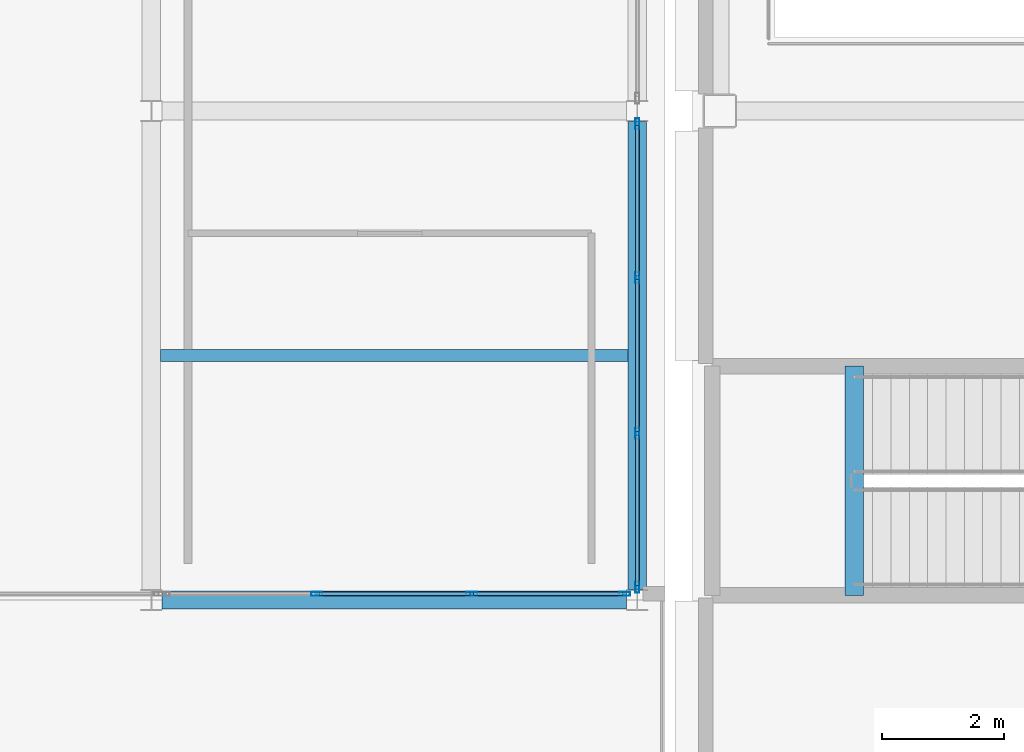
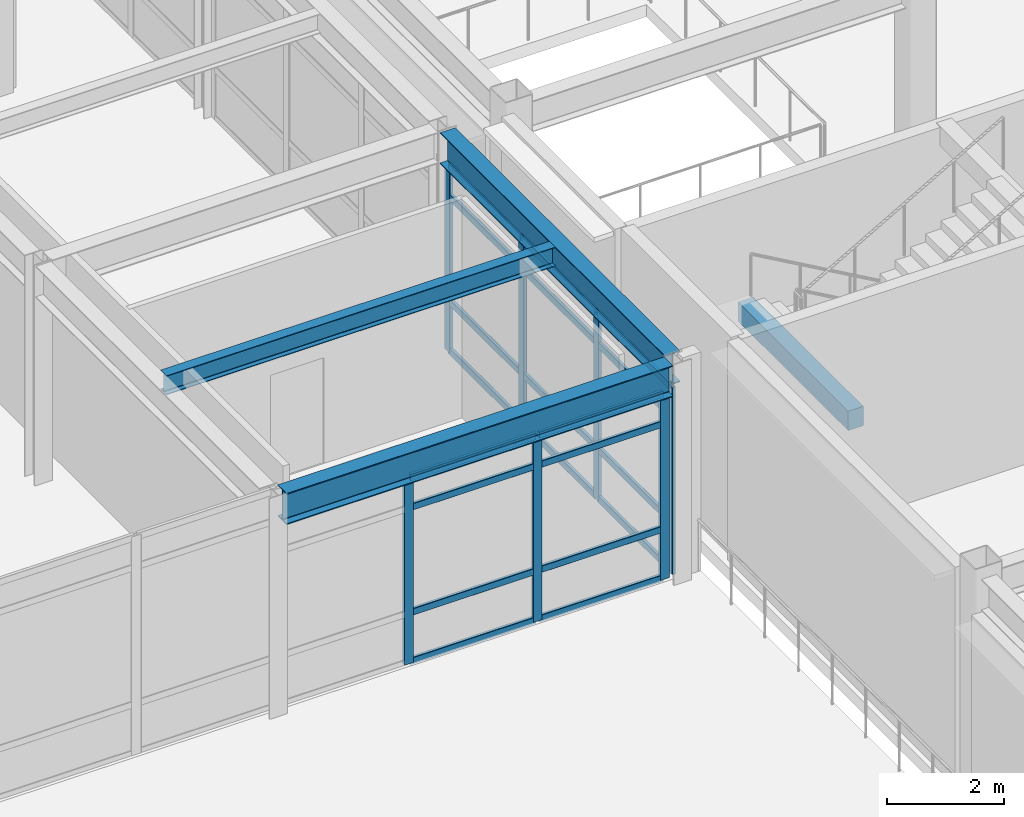
# One storey, part 18 of 154: 27 members, 4 beams, 2 elements without a shape of their own.
"""IFC4 building model written with IfcOpenShell, lengths in metres."""

import ifcopenshell
import ifcopenshell.guid

model = None  # the IFC model being written
_history = None  # IfcOwnerHistory: only IFC2X3 demands one
_inside = {}  # id of a spatial element -> (the spatial element, [elements in it])
_under = {}  # id of a project, library or spatial element -> (it, [spatial elements below it])
_declared = {}  # id of a project -> (the project, [libraries it declares])
_typed = {}  # id of a type object -> (the type object, [elements of that type])
_made_of = {}  # id of a material, layer set ... -> (it, [elements and type objects made of it])


def new_model(schema):
    """Start an empty IFC model of exactly this schema.

    Asked for "IFC4X3", IfcOpenShell would pick the latest addendum, in which some entities
    have other attributes; the version numbers below select the first issue.
    IFC2X3 requires an IfcOwnerHistory on every rooted entity: one is made here for all.
    """
    global model, _history
    if schema == "IFC4X3":
        model = ifcopenshell.file(schema_version=(4, 3, 0, 0))
    else:
        model = ifcopenshell.file(schema=schema)
    _inside.clear()
    _under.clear()
    _declared.clear()
    _typed.clear()
    _made_of.clear()
    _history = None
    if model.schema == "IFC2X3":
        org = make("IfcOrganization", Name="unknown")
        user = make(
            "IfcPersonAndOrganization",
            ThePerson=make("IfcPerson", FamilyName="unknown"),
            TheOrganization=org,
        )
        app = make(
            "IfcApplication",
            ApplicationDeveloper=org,
            Version="unknown",
            ApplicationFullName="unknown",
            ApplicationIdentifier="unknown",
        )
        _history = make(
            "IfcOwnerHistory",
            OwningUser=user,
            OwningApplication=app,
            ChangeAction="ADDED",
            CreationDate=0,
        )
    return model


def make(cls, **values):
    """One entity of the class cls with the attributes given. An attribute that is None is left unset."""
    return model.create_entity(
        cls, **{name: value for name, value in values.items() if value is not None}
    )


def rooted(cls, **values):
    """An entity with a GlobalId (a new one), such as an element, a storey or a relation."""
    return make(cls, GlobalId=ifcopenshell.guid.new(), OwnerHistory=_history, **values)


def si_unit(unit_type, name, prefix=None):
    """IfcSIUnit, for example si_unit("LENGTHUNIT", "METRE", prefix="MILLI")."""
    return make("IfcSIUnit", UnitType=unit_type, Prefix=prefix, Name=name)


def assignment(units):
    """IfcUnitAssignment: the units of a project."""
    return None if units is None else make("IfcUnitAssignment", Units=units)


def point(xyz):
    """IfcCartesianPoint."""
    return None if xyz is None else make("IfcCartesianPoint", Coordinates=xyz)


def direction(xyz):
    """IfcDirection."""
    return None if xyz is None else make("IfcDirection", DirectionRatios=xyz)


def frame(location, z_axis=None, x_axis=None):
    """IfcAxis2Placement3D, a coordinate frame: its origin and axes. An axis left out is left unset."""
    return make(
        "IfcAxis2Placement3D",
        Location=point(location),
        Axis=direction(z_axis),
        RefDirection=direction(x_axis),
    )


def frame_2d(location, x_axis=None):
    """IfcAxis2Placement2D, a coordinate frame in the plane: its origin and x axis."""
    return make(
        "IfcAxis2Placement2D", Location=point(location), RefDirection=direction(x_axis)
    )


def origin():
    """The frame at (0, 0, 0) with its axes left unset."""
    return frame((0.0, 0.0, 0.0))


def origin_2d():
    """The frame at (0, 0) in the plane with its x axis left unset."""
    return frame_2d((0.0, 0.0))


def place(relative_to, where):
    """IfcLocalPlacement: puts the frame where relative to a parent placement (None: the world)."""
    return make(
        "IfcLocalPlacement", PlacementRelTo=relative_to, RelativePlacement=where
    )


def context(
    kind, dimensions, precision=None, world=None, true_north=None, identifier=None
):
    """IfcGeometricRepresentationContext, for example the 3D "Model" context."""
    return make(
        "IfcGeometricRepresentationContext",
        ContextIdentifier=identifier,
        ContextType=kind,
        CoordinateSpaceDimension=dimensions,
        Precision=precision,
        WorldCoordinateSystem=world,
        TrueNorth=true_north,
    )


def subcontext(parent, identifier, kind, view, scale=None):
    """IfcGeometricRepresentationSubContext, for example "Body" below "Model"."""
    return make(
        "IfcGeometricRepresentationSubContext",
        ContextIdentifier=identifier,
        ContextType=kind,
        ParentContext=parent,
        TargetScale=scale,
        TargetView=view,
    )


def project(units=None, contexts=None):
    """IfcProject with its units and contexts."""
    return rooted(
        "IfcProject",
        Name="project",
        RepresentationContexts=contexts,
        UnitsInContext=assignment(units),
    )


def spatial(cls, under=None, at=None, **own):
    """A site, building, storey or space (cls), placed at a placement, below another one or the project."""
    s = rooted(cls, ObjectPlacement=at, **own)
    if under is not None:
        _under.setdefault(under.id(), (under, []))[1].append(s)
    return s


def profile(cls, at=None, kind="AREA", **sizes):
    """A parametric profile (cls). Its sizes go by their IFC names, for example OverallWidth=200.0."""
    return make(cls, ProfileType=kind, Position=at, **sizes)


def rectangle(**sizes):
    """IfcRectangleProfileDef."""
    return profile("IfcRectangleProfileDef", **sizes)


def hollow_rectangle(**sizes):
    """IfcRectangleHollowProfileDef."""
    return profile("IfcRectangleHollowProfileDef", **sizes)


def i_section(**sizes):
    """IfcIShapeProfileDef."""
    return profile("IfcIShapeProfileDef", **sizes)


def extrude(swept, where, along, depth):
    """IfcExtrudedAreaSolid: the profile swept, set in the frame where, extruded along a direction by depth."""
    return make(
        "IfcExtrudedAreaSolid",
        SweptArea=swept,
        Position=where,
        ExtrudedDirection=direction(along),
        Depth=depth,
    )


def shape(context_of_items, identifier, shape_type, items):
    """IfcShapeRepresentation: the items that make up one representation, for example the "Body"."""
    return make(
        "IfcShapeRepresentation",
        ContextOfItems=context_of_items,
        RepresentationIdentifier=identifier,
        RepresentationType=shape_type,
        Items=items,
    )


def material(Name=None, Category=None):
    """IfcMaterial."""
    return make("IfcMaterial", Name=Name, Category=Category)


def layer(
    of_material, thickness, ventilated=None, Name=None, Category=None, Priority=None
):
    """IfcMaterialLayer: one layer of a wall or slab, of a material (None: an air gap)."""
    return make(
        "IfcMaterialLayer",
        Material=of_material,
        LayerThickness=thickness,
        IsVentilated=ventilated,
        Name=Name,
        Category=Category,
        Priority=Priority,
    )


def layer_set(layers, Name=None):
    """IfcMaterialLayerSet."""
    return make("IfcMaterialLayerSet", MaterialLayers=layers, LayerSetName=Name)


def material_profile(
    of_material, cross_section, Name=None, Category=None, Priority=None
):
    """IfcMaterialProfile: a cross section and its material."""
    return make(
        "IfcMaterialProfile",
        Name=Name,
        Material=of_material,
        Profile=cross_section,
        Priority=Priority,
        Category=Category,
    )


def profile_set(profiles, Name=None, composite=None):
    """IfcMaterialProfileSet."""
    return make(
        "IfcMaterialProfileSet",
        Name=Name,
        MaterialProfiles=profiles,
        CompositeProfile=composite,
    )


def made_of(thing, what):
    """Note that an element or type object is made of a material, layer set ...; save() writes the relation."""
    if what is not None:
        _made_of.setdefault(what.id(), (what, []))[1].append(thing)
    return thing


def type_object(cls, material=None, **own):
    """A type object (cls), such as IfcWallType, which elements share."""
    return made_of(rooted(cls, **own), material)


def element(
    cls,
    number,
    at=None,
    inside=None,
    cuts=None,
    type_object=None,
    material=None,
    context=None,
    identifier="Body",
    shape_type=None,
    held_by="IfcProductDefinitionShape",
    body=None,
    shapes=None,
    **own,
):
    """One element of the class cls, such as IfcWall. Its Tag is "e" and its number.

    at: its placement. inside: the storey or other place that contains it. cuts: it is an
    opening in that element (IfcRelVoidsElement). A single representation is given by context,
    identifier, shape_type and body (its items); several are given by shapes. held_by: the class
    of the entity that holds the representations. save() writes the other relations.
    """
    e = rooted(cls, Tag="e%d" % number, ObjectPlacement=at, **own)
    if body is not None:
        shapes = [shape(context, identifier, shape_type, body)]
    if shapes is not None:
        e.Representation = make(held_by, Representations=shapes)
    if inside is not None:
        _inside.setdefault(inside.id(), (inside, []))[1].append(e)
    if cuts is not None:
        rooted(
            "IfcRelVoidsElement", RelatingBuildingElement=cuts, RelatedOpeningElement=e
        )
    if type_object is not None:
        _typed.setdefault(type_object.id(), (type_object, []))[1].append(e)
    return made_of(e, material)


def aggregate(whole, parts):
    """IfcRelAggregates: a whole, such as a stair, and the parts it consists of."""
    return rooted("IfcRelAggregates", RelatingObject=whole, RelatedObjects=parts)


def save(model, path):
    """Write the relations noted so far, then the file.

    IfcRelAggregates (storeys below a building ...), IfcRelContainedInSpatialStructure (elements
    in a storey), IfcRelDefinesByType, IfcRelAssociatesMaterial and IfcRelDeclares: one each for
    every whole, place, type object, material and project.
    """
    for whole, parts in _under.values():
        aggregate(whole, parts)
    for where, things in _inside.values():
        rooted(
            "IfcRelContainedInSpatialStructure",
            RelatedElements=things,
            RelatingStructure=where,
        )
    for kind, things in _typed.values():
        rooted("IfcRelDefinesByType", RelatedObjects=things, RelatingType=kind)
    for what, things in _made_of.values():
        rooted("IfcRelAssociatesMaterial", RelatedObjects=things, RelatingMaterial=what)
    for by, libraries in _declared.values():
        rooted("IfcRelDeclares", RelatingContext=by, RelatedDefinitions=libraries)
    model.write(path)


model = new_model("IFC4")

# Units and contexts
model_context = context("Model", 3, precision=1e-05, world=origin(), true_north=direction((0.0, 1.0)))
body_context = subcontext(model_context, "Body", "Model", "MODEL_VIEW")
ifc_project = project(units=[si_unit("LENGTHUNIT", "METRE"), si_unit("AREAUNIT", "SQUARE_METRE"), si_unit("VOLUMEUNIT", "CUBIC_METRE"), si_unit("PLANEANGLEUNIT", "RADIAN"), si_unit("MASSUNIT", "GRAM", prefix="KILO")], contexts=[model_context])

# Site, building, storey
site_placement = place(None, origin())
site = spatial("IfcSite", under=ifc_project, at=site_placement, CompositionType="ELEMENT")
building_placement = place(site_placement, origin())
building = spatial("IfcBuilding", under=site, at=building_placement, Name="Kazehara Bluff Congress Hotel", CompositionType="ELEMENT")
storey_placement = place(building_placement, frame((0.0, 0.0, 10.199951171875)))
storey = spatial("IfcBuildingStorey", under=building, at=storey_placement, Name="L02", CompositionType="ELEMENT", Elevation=10.199951171875)

# Curtain wall, members
ifc_material_1 = material(Name="Anodised aluminium", Category="aluminium")
ifc_layer_1 = layer(ifc_material_1, 0.159912109375)
ifc_layer_set_1 = layer_set([ifc_layer_1], Name="Anodised aluminium")
curtain_wall_type_1 = type_object("IfcCurtainWallType", Name="TP-CW-22", PredefinedType="NOTDEFINED", material=ifc_layer_set_1)
curtain_wall_1_placement = place(storey_placement, origin())
curtain_wall_1 = element("IfcCurtainWall", 1, at=curtain_wall_1_placement, inside=storey, type_object=curtain_wall_type_1, Name="L02 curtain wall CW-22 CW-V2-L02-X5835-1618", PredefinedType="NOTDEFINED")
ifc_material_2 = material(Name="Anodised aluminium", Category="aluminium")
ifc_material_profile_1 = material_profile(ifc_material_2, hollow_rectangle(XDim=0.06494140625, YDim=0.179931640625, WallThickness=0.00390625, InnerFilletRadius=0.00390625, OuterFilletRadius=0.008056640625, at=origin_2d()))
ifc_profile_set_1 = profile_set([ifc_material_profile_1], Name="Anodised aluminium")
member_type_1 = type_object("IfcMemberType", Name="TP-CWM-02", PredefinedType="MULLION", material=ifc_profile_set_1)
member_1_placement = place(storey_placement, frame((58.35009765625, 16.20751953125, 0.0), z_axis=(0.0, 0.0, 1.0), x_axis=(-1.0, 0.0, 0.0)))
member_1 = element("IfcMember", 2, at=member_1_placement, type_object=member_type_1, Name="CW-22 mullion 1", PredefinedType="MULLION", context=body_context, shape_type="SweptSolid", body=[
    extrude(hollow_rectangle(XDim=0.06494140625, YDim=0.179931640625, WallThickness=0.00390625, InnerFilletRadius=0.00390625, OuterFilletRadius=0.008056640625, at=origin_2d()), origin(), (0.0, 0.0, 1.0), 3.885009765625),
])
member_2_placement = place(storey_placement, frame((58.35009765625, 18.72509765625, 0.0), z_axis=(0.0, 0.0, 1.0), x_axis=(-1.0, 0.0, 0.0)))
member_2 = element("IfcMember", 3, at=member_2_placement, type_object=member_type_1, Name="CW-22 mullion 2", PredefinedType="MULLION", context=body_context, shape_type="SweptSolid", body=[
    extrude(hollow_rectangle(XDim=0.06494140625, YDim=0.179931640625, WallThickness=0.00390625, InnerFilletRadius=0.00390625, OuterFilletRadius=0.008056640625, at=origin_2d()), origin(), (0.0, 0.0, 1.0), 3.885009765625),
])
member_3_placement = place(storey_placement, frame((58.35009765625, 21.27490234375, 0.0), z_axis=(0.0, 0.0, 1.0), x_axis=(-1.0, 0.0, 0.0)))
member_3 = element("IfcMember", 4, at=member_3_placement, type_object=member_type_1, Name="CW-22 mullion 3", PredefinedType="MULLION", context=body_context, shape_type="SweptSolid", body=[
    extrude(hollow_rectangle(XDim=0.06494140625, YDim=0.179931640625, WallThickness=0.00390625, InnerFilletRadius=0.00390625, OuterFilletRadius=0.008056640625, at=origin_2d()), origin(), (0.0, 0.0, 1.0), 3.885009765625),
])
member_4_placement = place(storey_placement, frame((58.35009765625, 23.79248046875, 0.0), z_axis=(0.0, 0.0, 1.0), x_axis=(-1.0, 0.0, 0.0)))
member_4 = element("IfcMember", 5, at=member_4_placement, type_object=member_type_1, Name="CW-22 mullion 4", PredefinedType="MULLION", context=body_context, shape_type="SweptSolid", body=[
    extrude(hollow_rectangle(XDim=0.06494140625, YDim=0.179931640625, WallThickness=0.00390625, InnerFilletRadius=0.00390625, OuterFilletRadius=0.008056640625, at=origin_2d()), origin(), (0.0, 0.0, 1.0), 3.885009765625),
])

ifc_material_3 = material(Name="Anodised aluminium", Category="aluminium")
ifc_layer_2 = layer(ifc_material_3, 0.159912109375)
ifc_layer_set_2 = layer_set([ifc_layer_2], Name="Anodised aluminium")
curtain_wall_type_2 = type_object("IfcCurtainWallType", Name="TP-CW-129", PredefinedType="NOTDEFINED", material=ifc_layer_set_2)
curtain_wall_2_placement = place(storey_placement, origin())
curtain_wall_2 = element("IfcCurtainWall", 6, at=curtain_wall_2_placement, inside=storey, type_object=curtain_wall_type_2, Name="L02 curtain wall CW-129 CW-ENC-V2-L02-5438-1610", PredefinedType="NOTDEFINED")
member_5_placement = place(storey_placement, frame((58.142578125, 16.10009765625, 0.0), z_axis=(0.0, 0.0, 1.0), x_axis=(0.0, -1.0, 0.0)))
member_5 = element("IfcMember", 7, at=member_5_placement, type_object=member_type_1, Name="CW-129 mullion 1", PredefinedType="MULLION", context=body_context, shape_type="SweptSolid", body=[
    extrude(hollow_rectangle(XDim=0.06494140625, YDim=0.179931640625, WallThickness=0.00390625, InnerFilletRadius=0.00390625, OuterFilletRadius=0.008056640625, at=origin_2d()), origin(), (0.0, 0.0, 1.0), 3.885009765625),
])
member_6_placement = place(storey_placement, frame((55.6416015625, 16.10009765625, 0.0), z_axis=(0.0, 0.0, 1.0), x_axis=(0.0, -1.0, 0.0)))
member_6 = element("IfcMember", 8, at=member_6_placement, type_object=member_type_1, Name="CW-129 mullion 2", PredefinedType="MULLION", context=body_context, shape_type="SweptSolid", body=[
    extrude(hollow_rectangle(XDim=0.06494140625, YDim=0.179931640625, WallThickness=0.00390625, InnerFilletRadius=0.00390625, OuterFilletRadius=0.008056640625, at=origin_2d()), origin(), (0.0, 0.0, 1.0), 3.885009765625),
])
member_7_placement = place(storey_placement, frame((53.1083984375, 16.10009765625, 0.0), z_axis=(0.0, 0.0, 1.0), x_axis=(0.0, -1.0, 0.0)))
member_7 = element("IfcMember", 9, at=member_7_placement, type_object=member_type_1, Name="CW-129 mullion 3", PredefinedType="MULLION", context=body_context, shape_type="SweptSolid", body=[
    extrude(hollow_rectangle(XDim=0.06494140625, YDim=0.179931640625, WallThickness=0.00390625, InnerFilletRadius=0.00390625, OuterFilletRadius=0.008056640625, at=origin_2d()), origin(), (0.0, 0.0, 1.0), 3.885009765625),
])

# Member
ifc_material_4 = material(Name="Anodised aluminium", Category="aluminium")
ifc_material_profile_2 = material_profile(ifc_material_4, hollow_rectangle(XDim=0.06494140625, YDim=0.139892578125, WallThickness=0.00390625, InnerFilletRadius=0.00390625, OuterFilletRadius=0.008056640625, at=origin_2d()))
ifc_profile_set_2 = profile_set([ifc_material_profile_2], Name="Anodised aluminium")
member_type_2 = type_object("IfcMemberType", Name="TP-CWT-02", PredefinedType="USERDEFINED", material=ifc_profile_set_2)
member_8_placement = place(storey_placement, frame((58.35009765625, 16.239990234375, 0.032470703125), z_axis=(0.0, 1.0, 0.0), x_axis=(-1.0, 0.0, 0.0)))
member_8 = element("IfcMember", 10, at=member_8_placement, type_object=member_type_2, Name="CW-22 transom 1.1", ObjectType="TRANSOM", PredefinedType="USERDEFINED", context=body_context, shape_type="SweptSolid", body=[
    extrude(hollow_rectangle(XDim=0.06494140625, YDim=0.139892578125, WallThickness=0.00390625, InnerFilletRadius=0.00390625, OuterFilletRadius=0.008056640625, at=origin_2d()), origin(), (0.0, 0.0, 1.0), 2.452392578125),
])

member_9_placement = place(storey_placement, frame((58.35009765625, 16.239990234375, 1.050048828125), z_axis=(0.0, 1.0, 0.0), x_axis=(-1.0, 0.0, 0.0)))
member_9 = element("IfcMember", 11, at=member_9_placement, type_object=member_type_2, Name="CW-22 transom 1.2", ObjectType="TRANSOM", PredefinedType="USERDEFINED", context=body_context, shape_type="SweptSolid", body=[
    extrude(hollow_rectangle(XDim=0.06494140625, YDim=0.139892578125, WallThickness=0.00390625, InnerFilletRadius=0.00390625, OuterFilletRadius=0.008056640625, at=origin_2d()), origin(), (0.0, 0.0, 1.0), 2.452392578125),
])

member_10_placement = place(storey_placement, frame((58.35009765625, 16.239990234375, 3.235107421875), z_axis=(0.0, 1.0, 0.0), x_axis=(-1.0, 0.0, 0.0)))
member_10 = element("IfcMember", 12, at=member_10_placement, type_object=member_type_2, Name="CW-22 transom 1.3", ObjectType="TRANSOM", PredefinedType="USERDEFINED", context=body_context, shape_type="SweptSolid", body=[
    extrude(hollow_rectangle(XDim=0.06494140625, YDim=0.139892578125, WallThickness=0.00390625, InnerFilletRadius=0.00390625, OuterFilletRadius=0.008056640625, at=origin_2d()), origin(), (0.0, 0.0, 1.0), 2.452392578125),
])

member_11_placement = place(storey_placement, frame((58.35009765625, 16.239990234375, 3.8525390625), z_axis=(0.0, 1.0, 0.0), x_axis=(-1.0, 0.0, 0.0)))
member_11 = element("IfcMember", 13, at=member_11_placement, type_object=member_type_2, Name="CW-22 transom 1.4", ObjectType="TRANSOM", PredefinedType="USERDEFINED", context=body_context, shape_type="SweptSolid", body=[
    extrude(hollow_rectangle(XDim=0.06494140625, YDim=0.139892578125, WallThickness=0.00390625, InnerFilletRadius=0.00390625, OuterFilletRadius=0.008056640625, at=origin_2d()), origin(), (0.0, 0.0, 1.0), 2.452392578125),
])

member_12_placement = place(storey_placement, frame((58.35009765625, 18.757568359375, 0.032470703125), z_axis=(0.0, 1.0, 0.0), x_axis=(-1.0, 0.0, 0.0)))
member_12 = element("IfcMember", 14, at=member_12_placement, type_object=member_type_2, Name="CW-22 transom 2.1", ObjectType="TRANSOM", PredefinedType="USERDEFINED", context=body_context, shape_type="SweptSolid", body=[
    extrude(hollow_rectangle(XDim=0.06494140625, YDim=0.139892578125, WallThickness=0.00390625, InnerFilletRadius=0.00390625, OuterFilletRadius=0.008056640625, at=origin_2d()), origin(), (0.0, 0.0, 1.0), 2.48486328125),
])

member_13_placement = place(storey_placement, frame((58.35009765625, 18.757568359375, 1.050048828125), z_axis=(0.0, 1.0, 0.0), x_axis=(-1.0, 0.0, 0.0)))
member_13 = element("IfcMember", 15, at=member_13_placement, type_object=member_type_2, Name="CW-22 transom 2.2", ObjectType="TRANSOM", PredefinedType="USERDEFINED", context=body_context, shape_type="SweptSolid", body=[
    extrude(hollow_rectangle(XDim=0.06494140625, YDim=0.139892578125, WallThickness=0.00390625, InnerFilletRadius=0.00390625, OuterFilletRadius=0.008056640625, at=origin_2d()), origin(), (0.0, 0.0, 1.0), 2.48486328125),
])

member_14_placement = place(storey_placement, frame((58.35009765625, 18.757568359375, 3.235107421875), z_axis=(0.0, 1.0, 0.0), x_axis=(-1.0, 0.0, 0.0)))
member_14 = element("IfcMember", 16, at=member_14_placement, type_object=member_type_2, Name="CW-22 transom 2.3", ObjectType="TRANSOM", PredefinedType="USERDEFINED", context=body_context, shape_type="SweptSolid", body=[
    extrude(hollow_rectangle(XDim=0.06494140625, YDim=0.139892578125, WallThickness=0.00390625, InnerFilletRadius=0.00390625, OuterFilletRadius=0.008056640625, at=origin_2d()), origin(), (0.0, 0.0, 1.0), 2.48486328125),
])

member_15_placement = place(storey_placement, frame((58.35009765625, 18.757568359375, 3.8525390625), z_axis=(0.0, 1.0, 0.0), x_axis=(-1.0, 0.0, 0.0)))
member_15 = element("IfcMember", 17, at=member_15_placement, type_object=member_type_2, Name="CW-22 transom 2.4", ObjectType="TRANSOM", PredefinedType="USERDEFINED", context=body_context, shape_type="SweptSolid", body=[
    extrude(hollow_rectangle(XDim=0.06494140625, YDim=0.139892578125, WallThickness=0.00390625, InnerFilletRadius=0.00390625, OuterFilletRadius=0.008056640625, at=origin_2d()), origin(), (0.0, 0.0, 1.0), 2.48486328125),
])

member_16_placement = place(storey_placement, frame((58.35009765625, 21.3076171875, 0.032470703125), z_axis=(0.0, 1.0, 0.0), x_axis=(-1.0, 0.0, 0.0)))
member_16 = element("IfcMember", 18, at=member_16_placement, type_object=member_type_2, Name="CW-22 transom 3.1", ObjectType="TRANSOM", PredefinedType="USERDEFINED", context=body_context, shape_type="SweptSolid", body=[
    extrude(hollow_rectangle(XDim=0.06494140625, YDim=0.139892578125, WallThickness=0.00390625, InnerFilletRadius=0.00390625, OuterFilletRadius=0.008056640625, at=origin_2d()), origin(), (0.0, 0.0, 1.0), 2.452392578125),
])

member_17_placement = place(storey_placement, frame((58.35009765625, 21.3076171875, 1.050048828125), z_axis=(0.0, 1.0, 0.0), x_axis=(-1.0, 0.0, 0.0)))
member_17 = element("IfcMember", 19, at=member_17_placement, type_object=member_type_2, Name="CW-22 transom 3.2", ObjectType="TRANSOM", PredefinedType="USERDEFINED", context=body_context, shape_type="SweptSolid", body=[
    extrude(hollow_rectangle(XDim=0.06494140625, YDim=0.139892578125, WallThickness=0.00390625, InnerFilletRadius=0.00390625, OuterFilletRadius=0.008056640625, at=origin_2d()), origin(), (0.0, 0.0, 1.0), 2.452392578125),
])

member_18_placement = place(storey_placement, frame((58.35009765625, 21.3076171875, 3.235107421875), z_axis=(0.0, 1.0, 0.0), x_axis=(-1.0, 0.0, 0.0)))
member_18 = element("IfcMember", 20, at=member_18_placement, type_object=member_type_2, Name="CW-22 transom 3.3", ObjectType="TRANSOM", PredefinedType="USERDEFINED", context=body_context, shape_type="SweptSolid", body=[
    extrude(hollow_rectangle(XDim=0.06494140625, YDim=0.139892578125, WallThickness=0.00390625, InnerFilletRadius=0.00390625, OuterFilletRadius=0.008056640625, at=origin_2d()), origin(), (0.0, 0.0, 1.0), 2.452392578125),
])

member_19_placement = place(storey_placement, frame((58.35009765625, 21.3076171875, 3.8525390625), z_axis=(0.0, 1.0, 0.0), x_axis=(-1.0, 0.0, 0.0)))
member_19 = element("IfcMember", 21, at=member_19_placement, type_object=member_type_2, Name="CW-22 transom 3.4", ObjectType="TRANSOM", PredefinedType="USERDEFINED", context=body_context, shape_type="SweptSolid", body=[
    extrude(hollow_rectangle(XDim=0.06494140625, YDim=0.139892578125, WallThickness=0.00390625, InnerFilletRadius=0.00390625, OuterFilletRadius=0.008056640625, at=origin_2d()), origin(), (0.0, 0.0, 1.0), 2.452392578125),
])

aggregate(curtain_wall_1, [member_1, member_2, member_3, member_4, member_8, member_9, member_10, member_11, member_12, member_13, member_14, member_15, member_16, member_17, member_18, member_19])

member_20_placement = place(storey_placement, frame((58.110107421875, 16.10009765625, 0.032470703125), z_axis=(-1.0, 0.0, 0.0), x_axis=(0.0, -1.0, 0.0)))
member_20 = element("IfcMember", 22, at=member_20_placement, type_object=member_type_2, Name="CW-129 transom 1.1", ObjectType="TRANSOM", PredefinedType="USERDEFINED", context=body_context, shape_type="SweptSolid", body=[
    extrude(hollow_rectangle(XDim=0.06494140625, YDim=0.139892578125, WallThickness=0.00390625, InnerFilletRadius=0.00390625, OuterFilletRadius=0.008056640625, at=origin_2d()), origin(), (0.0, 0.0, 1.0), 2.43603515625),
])

member_21_placement = place(storey_placement, frame((58.110107421875, 16.10009765625, 1.050048828125), z_axis=(-1.0, 0.0, 0.0), x_axis=(0.0, -1.0, 0.0)))
member_21 = element("IfcMember", 23, at=member_21_placement, type_object=member_type_2, Name="CW-129 transom 1.2", ObjectType="TRANSOM", PredefinedType="USERDEFINED", context=body_context, shape_type="SweptSolid", body=[
    extrude(hollow_rectangle(XDim=0.06494140625, YDim=0.139892578125, WallThickness=0.00390625, InnerFilletRadius=0.00390625, OuterFilletRadius=0.008056640625, at=origin_2d()), origin(), (0.0, 0.0, 1.0), 2.43603515625),
])

member_22_placement = place(storey_placement, frame((58.110107421875, 16.10009765625, 3.235107421875), z_axis=(-1.0, 0.0, 0.0), x_axis=(0.0, -1.0, 0.0)))
member_22 = element("IfcMember", 24, at=member_22_placement, type_object=member_type_2, Name="CW-129 transom 1.3", ObjectType="TRANSOM", PredefinedType="USERDEFINED", context=body_context, shape_type="SweptSolid", body=[
    extrude(hollow_rectangle(XDim=0.06494140625, YDim=0.139892578125, WallThickness=0.00390625, InnerFilletRadius=0.00390625, OuterFilletRadius=0.008056640625, at=origin_2d()), origin(), (0.0, 0.0, 1.0), 2.43603515625),
])

member_23_placement = place(storey_placement, frame((58.110107421875, 16.10009765625, 3.8525390625), z_axis=(-1.0, 0.0, 0.0), x_axis=(0.0, -1.0, 0.0)))
member_23 = element("IfcMember", 25, at=member_23_placement, type_object=member_type_2, Name="CW-129 transom 1.4", ObjectType="TRANSOM", PredefinedType="USERDEFINED", context=body_context, shape_type="SweptSolid", body=[
    extrude(hollow_rectangle(XDim=0.06494140625, YDim=0.139892578125, WallThickness=0.00390625, InnerFilletRadius=0.00390625, OuterFilletRadius=0.008056640625, at=origin_2d()), origin(), (0.0, 0.0, 1.0), 2.43603515625),
])

member_24_placement = place(storey_placement, frame((55.609130859375, 16.10009765625, 0.032470703125), z_axis=(-1.0, 0.0, 0.0), x_axis=(0.0, -1.0, 0.0)))
member_24 = element("IfcMember", 26, at=member_24_placement, type_object=member_type_2, Name="CW-129 transom 2.1", ObjectType="TRANSOM", PredefinedType="USERDEFINED", context=body_context, shape_type="SweptSolid", body=[
    extrude(hollow_rectangle(XDim=0.06494140625, YDim=0.139892578125, WallThickness=0.00390625, InnerFilletRadius=0.00390625, OuterFilletRadius=0.008056640625, at=origin_2d()), origin(), (0.0, 0.0, 1.0), 2.46826171875),
])

member_25_placement = place(storey_placement, frame((55.609130859375, 16.10009765625, 1.050048828125), z_axis=(-1.0, 0.0, 0.0), x_axis=(0.0, -1.0, 0.0)))
member_25 = element("IfcMember", 27, at=member_25_placement, type_object=member_type_2, Name="CW-129 transom 2.2", ObjectType="TRANSOM", PredefinedType="USERDEFINED", context=body_context, shape_type="SweptSolid", body=[
    extrude(hollow_rectangle(XDim=0.06494140625, YDim=0.139892578125, WallThickness=0.00390625, InnerFilletRadius=0.00390625, OuterFilletRadius=0.008056640625, at=origin_2d()), origin(), (0.0, 0.0, 1.0), 2.46826171875),
])

member_26_placement = place(storey_placement, frame((55.609130859375, 16.10009765625, 3.235107421875), z_axis=(-1.0, 0.0, 0.0), x_axis=(0.0, -1.0, 0.0)))
member_26 = element("IfcMember", 28, at=member_26_placement, type_object=member_type_2, Name="CW-129 transom 2.3", ObjectType="TRANSOM", PredefinedType="USERDEFINED", context=body_context, shape_type="SweptSolid", body=[
    extrude(hollow_rectangle(XDim=0.06494140625, YDim=0.139892578125, WallThickness=0.00390625, InnerFilletRadius=0.00390625, OuterFilletRadius=0.008056640625, at=origin_2d()), origin(), (0.0, 0.0, 1.0), 2.46826171875),
])

member_27_placement = place(storey_placement, frame((55.609130859375, 16.10009765625, 3.8525390625), z_axis=(-1.0, 0.0, 0.0), x_axis=(0.0, -1.0, 0.0)))
member_27 = element("IfcMember", 29, at=member_27_placement, type_object=member_type_2, Name="CW-129 transom 2.4", ObjectType="TRANSOM", PredefinedType="USERDEFINED", context=body_context, shape_type="SweptSolid", body=[
    extrude(hollow_rectangle(XDim=0.06494140625, YDim=0.139892578125, WallThickness=0.00390625, InnerFilletRadius=0.00390625, OuterFilletRadius=0.008056640625, at=origin_2d()), origin(), (0.0, 0.0, 1.0), 2.46826171875),
])

aggregate(curtain_wall_2, [member_5, member_6, member_7, member_20, member_21, member_22, member_23, member_24, member_25, member_26, member_27])

# Beams
ifc_material_5 = material(Name="Steel SN490B", Category="steel")
ifc_material_profile_3 = material_profile(ifc_material_5, i_section(OverallWidth=0.300048828125, OverallDepth=0.64990234375, WebThickness=0.011962890625, FlangeThickness=0.02001953125, FilletRadius=0.012939453125, at=origin_2d()))
ifc_profile_set_3 = profile_set([ifc_material_profile_3], Name="Steel SN490B")
beam_type_1 = type_object("IfcBeamType", Name="TP-G-03", PredefinedType="BEAM", material=ifc_profile_set_3)
beam_1_placement = place(storey_placement, frame((58.35009765625, 16.175048828125, 4.235107421875), z_axis=(0.0, 1.0, 0.0), x_axis=(-1.0, 0.0, 0.0)))
element("IfcBeam", 30, at=beam_1_placement, inside=storey, type_object=beam_type_1, Name="L02 girder G-03 46", PredefinedType="BEAM", context=body_context, shape_type="SweptSolid", body=[
    extrude(i_section(OverallWidth=0.300048828125, OverallDepth=0.64990234375, WebThickness=0.011962890625, FlangeThickness=0.02001953125, FilletRadius=0.012939453125, at=origin_2d()), origin(), (0.0, 0.0, 1.0), 7.64990234375),
])
beam_2_placement = place(storey_placement, frame((50.574951171875, 16.0, 4.235107421875), z_axis=(1.0, 0.0, 0.0), x_axis=(0.0, 1.0, 0.0)))
element("IfcBeam", 31, at=beam_2_placement, inside=storey, type_object=beam_type_1, Name="L02 girder G-03 49", PredefinedType="BEAM", context=body_context, shape_type="SweptSolid", body=[
    extrude(i_section(OverallWidth=0.300048828125, OverallDepth=0.64990234375, WebThickness=0.011962890625, FlangeThickness=0.02001953125, FilletRadius=0.012939453125, at=origin_2d()), origin(), (0.0, 0.0, 1.0), 7.60009765625),
])
ifc_material_6 = material(Name="Steel SN400B", Category="steel")
ifc_material_profile_4 = material_profile(ifc_material_6, i_section(OverallWidth=0.199951171875, OverallDepth=0.39990234375, WebThickness=0.008056640625, FlangeThickness=0.012939453125, FilletRadius=0.012939453125, at=origin_2d()))
ifc_profile_set_4 = profile_set([ifc_material_profile_4], Name="Steel SN400B")
beam_type_2 = type_object("IfcBeamType", Name="TP-J-03", PredefinedType="JOIST", material=ifc_profile_set_4)
beam_3_placement = place(storey_placement, frame((50.550048828125, 20.0, 4.360107421875), z_axis=(1.0, 0.0, 0.0), x_axis=(0.0, 1.0, 0.0)))
element("IfcBeam", 32, at=beam_3_placement, inside=storey, type_object=beam_type_2, Name="L02 secondary joist J-03 3", PredefinedType="JOIST", context=body_context, shape_type="SweptSolid", body=[
    extrude(i_section(OverallWidth=0.199951171875, OverallDepth=0.39990234375, WebThickness=0.008056640625, FlangeThickness=0.012939453125, FilletRadius=0.012939453125, at=origin_2d()), origin(), (0.0, 0.0, 1.0), 7.64990234375),
])
ifc_material_7 = material(Name="Concrete C40/50", Category="concrete")
ifc_material_profile_5 = material_profile(ifc_material_7, rectangle(XDim=0.300048828125, YDim=0.39990234375, at=origin_2d()))
ifc_profile_set_5 = profile_set([ifc_material_profile_5], Name="Concrete C40/50")
beam_type_3 = type_object("IfcBeamType", Name="TP-LN-02", PredefinedType="LINTEL", material=ifc_profile_set_5)
beam_4_placement = place(storey_placement, frame((61.89990234375, 19.824951171875, 2.02001953125), z_axis=(0.0, -1.0, 0.0), x_axis=(1.0, 0.0, 0.0)))
element("IfcBeam", 33, at=beam_4_placement, inside=storey, type_object=beam_type_3, Name="L02 ST-08 half-landing support beam 1", PredefinedType="LINTEL", context=body_context, shape_type="SweptSolid", body=[
    extrude(rectangle(XDim=0.300048828125, YDim=0.39990234375, at=origin_2d()), origin(), (0.0, 0.0, 1.0), 3.75),
])

save(model, "model.ifc")
